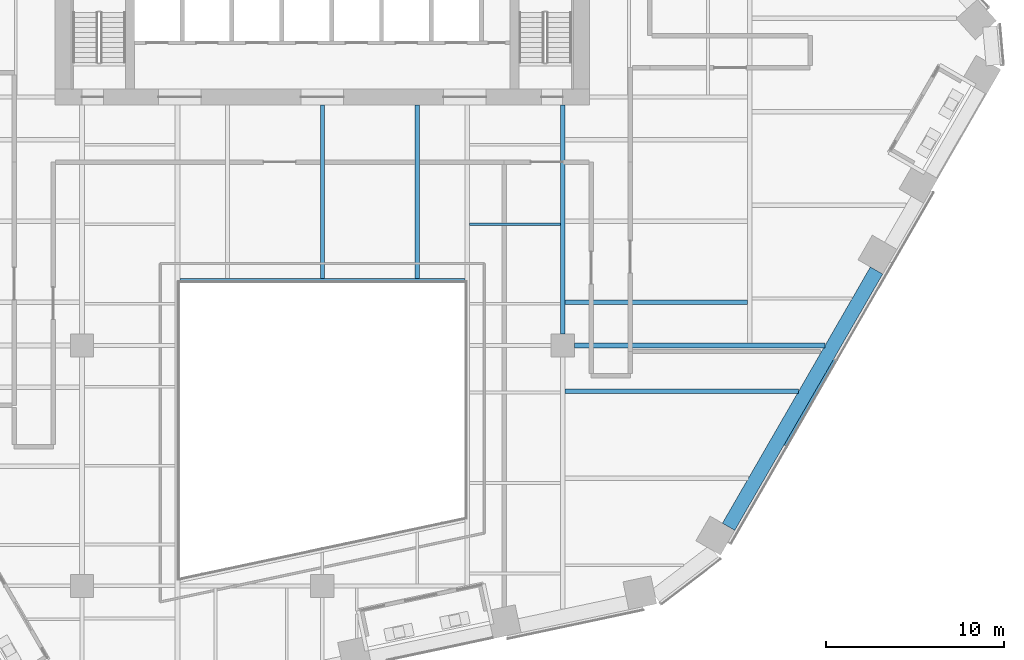
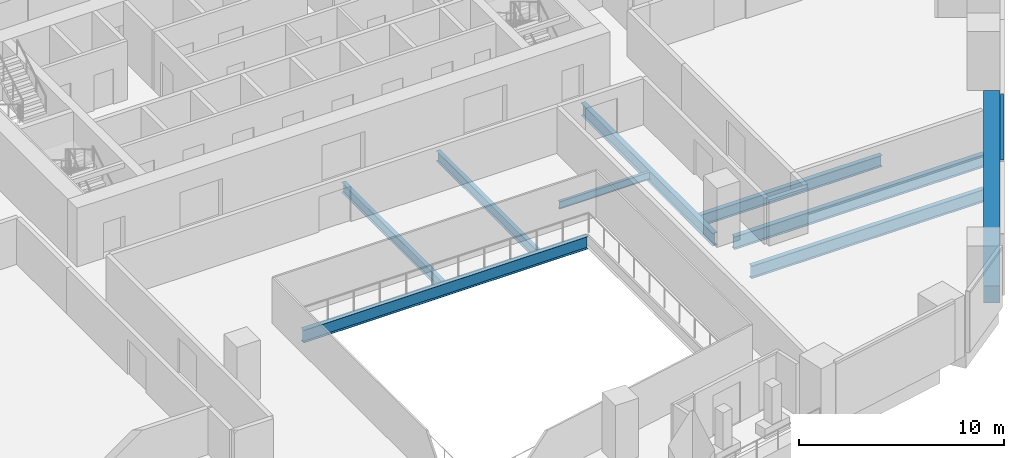
# One storey, part 8 of 28: 9 beams, 1 member, 1 element without a shape of its own.
"""IFC4 building model written with IfcOpenShell, lengths in metres."""

from ifc_helpers import new_model, si_unit, direction, frame, origin, origin_2d, place, context, subcontext, project, spatial, rectangle, i_section, extrude, material, layer, layer_set, material_profile, profile_set, type_object, element, aggregate, save


model = new_model("IFC4")

# Units and contexts
model_context = context("Model", 3, precision=1e-05, world=origin(), true_north=direction((0.0, 1.0)))
body_context = subcontext(model_context, "Body", "Model", "MODEL_VIEW")
ifc_project = project(units=[si_unit("LENGTHUNIT", "METRE"), si_unit("AREAUNIT", "SQUARE_METRE"), si_unit("VOLUMEUNIT", "CUBIC_METRE"), si_unit("PLANEANGLEUNIT", "RADIAN"), si_unit("MASSUNIT", "GRAM", prefix="KILO")], contexts=[model_context])

# Site, building, storey
site_placement = place(None, origin())
site = spatial("IfcSite", under=ifc_project, at=site_placement, CompositionType="ELEMENT")
building_placement = place(site_placement, origin())
building = spatial("IfcBuilding", under=site, at=building_placement, Name="Isthmus Gate Tower", CompositionType="ELEMENT")
storey_placement = place(building_placement, frame((0.0, 0.0, 84.300048828125)))
storey = spatial("IfcBuildingStorey", under=building, at=storey_placement, Name="L19", CompositionType="ELEMENT", Elevation=84.300048828125)

# Curtain wall, member
ifc_material_1 = material(Name="Aluminium, pale champagne anodised", Category="aluminium")
ifc_layer = layer(ifc_material_1, 0.199951171875)
ifc_layer_set = layer_set([ifc_layer], Name="CW-1 UNITISED CURTAIN WALL 200 DEEP")
curtain_wall_type = type_object("IfcCurtainWallType", Name="CW-1 UNITISED CURTAIN WALL 200 DEEP", PredefinedType="NOTDEFINED", material=ifc_layer_set)
curtain_wall_placement = place(storey_placement, origin())
curtain_wall = element("IfcCurtainWall", 1, at=curtain_wall_placement, inside=storey, type_object=curtain_wall_type, Name="CW-1 SE L19", PredefinedType="NOTDEFINED")
ifc_material_2 = material(Name="Aluminium, pale champagne anodised", Category="aluminium")
ifc_material_profile_1 = material_profile(ifc_material_2, rectangle(XDim=0.199951171875, YDim=0.14990234375, at=origin_2d()), Name="200x150")
ifc_profile_set_1 = profile_set([ifc_material_profile_1], Name="Aluminium, pale champagne anodised")
member_type = type_object("IfcMemberType", Name="CW-1 TRANSOM 200 X 150", PredefinedType="USERDEFINED", material=ifc_profile_set_1)
member_placement = place(storey_placement, frame((26.017822265625, -19.135986328125, 3.574951171875), z_axis=(0.499993363642, 0.866029235253, 0.0), x_axis=(-0.866029235253, 0.499993363642, 0.0)))
member = element("IfcMember", 2, at=member_placement, type_object=member_type, Name="CW-1 transom", ObjectType="TRANSOM", PredefinedType="USERDEFINED", context=body_context, shape_type="SweptSolid", body=[
    extrude(rectangle(XDim=0.199951171875, YDim=0.14990234375, at=origin_2d()), origin(), (0.0, 0.0, 1.0), 5.53857421875),
])
aggregate(curtain_wall, [member])

# Beams
ifc_material_3 = material(Name="Concrete f'c 70 MPa", Category="concrete")
ifc_material_profile_2 = material_profile(ifc_material_3, rectangle(XDim=0.800048828125, YDim=1.0, at=origin_2d()), Name="RC 800X1000")
ifc_profile_set_2 = profile_set([ifc_material_profile_2], Name="Concrete f'c 70 MPa")
beam_type_1 = type_object("IfcBeamType", Name="RC SPANDREL 800 X 1000", PredefinedType="SPANDREL", material=ifc_profile_set_2)
beam_1_placement = place(storey_placement, frame((31.123291015625, -9.292724609375, -0.5), z_axis=(-0.499999725976, -0.866025561992, 0.0), x_axis=(0.866025561992, -0.499999725976, 0.0)))
element("IfcBeam", 3, at=beam_1_placement, inside=storey, type_object=beam_type_1, Name="str-spandrel-L19-08", PredefinedType="SPANDREL", context=body_context, shape_type="SweptSolid", body=[
    extrude(rectangle(XDim=0.800048828125, YDim=1.0, at=origin_2d()), origin(), (0.0, 0.0, 1.0), 16.61572265625),
])
ifc_material_4 = material(Name="Structural steel ASTM A992 Gr 50", Category="steel")
ifc_material_profile_3 = material_profile(ifc_material_4, i_section(OverallWidth=0.15234375, OverallDepth=0.45068359375, WebThickness=0.0078125, FlangeThickness=0.010986328125, at=origin_2d()), Name="W18X35")
ifc_profile_set_3 = profile_set([ifc_material_profile_3], Name="Structural steel ASTM A992 Gr 50")
beam_type_2 = type_object("IfcBeamType", Name="STEEL FLOOR BEAM W18X35", PredefinedType="JOIST", material=ifc_profile_set_3)
beam_2_placement = place(storey_placement, frame((8.263427734375, -6.697509765625, -0.37548828125), z_axis=(1.0, 0.0, 0.0), x_axis=(0.0, 1.0, 0.0)))
element("IfcBeam", 4, at=beam_2_placement, inside=storey, type_object=beam_type_2, Name="str-beam-L19-27-01", PredefinedType="JOIST", context=body_context, shape_type="SweptSolid", body=[
    extrude(i_section(OverallWidth=0.15234375, OverallDepth=0.45068359375, WebThickness=0.0078125, FlangeThickness=0.010986328125, at=origin_2d()), origin(), (0.0, 0.0, 1.0), 5.104736328125),
])
ifc_material_5 = material(Name="Structural steel ASTM A992 Gr 50", Category="steel")
ifc_material_profile_4 = material_profile(ifc_material_5, i_section(OverallWidth=0.228515625, OverallDepth=0.603271484375, WebThickness=0.010986328125, FlangeThickness=0.014404296875, at=origin_2d()), Name="W24X68")
ifc_profile_set_4 = profile_set([ifc_material_profile_4], Name="Structural steel ASTM A992 Gr 50")
beam_type_3 = type_object("IfcBeamType", Name="STEEL FLOOR BEAM W24X68", PredefinedType="JOIST", material=ifc_profile_set_4)
for number, where, z_axis, x_axis, name in (
    (5, (0.0, -9.7333984375, -0.45166015625), (0.0, 1.0, 0.0), (-1.0, 0.0, 0.0), "str-beam-L19-19-01"),
    (6, (5.333251953125, -9.7333984375, -0.45166015625), (0.0, 1.0, 0.0), (-1.0, 0.0, 0.0), "str-beam-L19-19-02"),
):
    element("IfcBeam", number, at=place(storey_placement, frame(where, z_axis=z_axis, x_axis=x_axis)), inside=storey, type_object=beam_type_3, Name=name, PredefinedType="JOIST", context=body_context, shape_type="SweptSolid", body=[
        extrude(i_section(OverallWidth=0.228515625, OverallDepth=0.603271484375, WebThickness=0.010986328125, FlangeThickness=0.014404296875, at=origin_2d()), origin(), (0.0, 0.0, 1.0), 9.7333984375),
    ])
ifc_material_6 = material(Name="Structural steel ASTM A992 Gr 50", Category="steel")
ifc_material_profile_5 = material_profile(ifc_material_6, i_section(OverallWidth=0.25390625, OverallDepth=0.679443359375, WebThickness=0.010986328125, FlangeThickness=0.015869140625, at=origin_2d()), Name="W27X84")
ifc_profile_set_5 = profile_set([ifc_material_profile_5], Name="Structural steel ASTM A992 Gr 50")
beam_type_4 = type_object("IfcBeamType", Name="STEEL FLOOR BEAM W27X84", PredefinedType="JOIST", material=ifc_profile_set_5)
beam_3_placement = place(storey_placement, frame((13.6318359375, -11.0830078125, -0.48974609375), z_axis=(1.0, 0.0, 0.0), x_axis=(0.0, 1.0, 0.0)))
element("IfcBeam", 7, at=beam_3_placement, inside=storey, type_object=beam_type_4, Name="str-beam-L19-31-00", PredefinedType="JOIST", context=body_context, shape_type="SweptSolid", body=[
    extrude(i_section(OverallWidth=0.25390625, OverallDepth=0.679443359375, WebThickness=0.010986328125, FlangeThickness=0.015869140625, at=origin_2d()), origin(), (0.0, 0.0, 1.0), 10.23486328125),
])
ifc_material_7 = material(Name="Structural steel ASTM A992 Gr 50", Category="steel")
ifc_material_profile_6 = material_profile(ifc_material_7, i_section(OverallWidth=0.263427734375, OverallDepth=0.749267578125, WebThickness=0.0126953125, FlangeThickness=0.015869140625, at=origin_2d()), Name="W30X90")
ifc_profile_set_6 = profile_set([ifc_material_profile_6], Name="Structural steel ASTM A992 Gr 50")
beam_type_5 = type_object("IfcBeamType", Name="STEEL FLOOR BEAM W30X90", PredefinedType="JOIST", material=ifc_profile_set_6)
beam_4_placement = place(storey_placement, frame((13.63330078125, -16.0751953125, -0.524658203125), z_axis=(1.0, 0.0, 0.0), x_axis=(0.0, 1.0, 0.0)))
element("IfcBeam", 8, at=beam_4_placement, inside=storey, type_object=beam_type_5, Name="str-beam-L19-32-02", PredefinedType="JOIST", context=body_context, shape_type="SweptSolid", body=[
    extrude(i_section(OverallWidth=0.263427734375, OverallDepth=0.749267578125, WebThickness=0.0126953125, FlangeThickness=0.015869140625, at=origin_2d()), origin(), (0.0, 0.0, 1.0), 13.1123046875),
])
ifc_material_8 = material(Name="Structural steel ASTM A992 Gr 50", Category="steel")
ifc_material_profile_7 = material_profile(ifc_material_8, i_section(OverallWidth=0.2666015625, OverallDepth=0.7587890625, WebThickness=0.014404296875, FlangeThickness=0.01904296875, at=origin_2d()), Name="W30X108")
ifc_profile_set_7 = profile_set([ifc_material_profile_7], Name="Structural steel ASTM A992 Gr 50")
beam_type_6 = type_object("IfcBeamType", Name="STEEL GIRDER W30X108", PredefinedType="BEAM", material=ifc_profile_set_7)
beam_5_placement = place(storey_placement, frame((14.14990234375, -13.5, -0.529541015625), z_axis=(1.0, 0.0, 0.0), x_axis=(0.0, 1.0, 0.0)))
element("IfcBeam", 9, at=beam_5_placement, inside=storey, type_object=beam_type_6, Name="str-girder-L19-08", PredefinedType="BEAM", context=body_context, shape_type="SweptSolid", body=[
    extrude(i_section(OverallWidth=0.2666015625, OverallDepth=0.7587890625, WebThickness=0.014404296875, FlangeThickness=0.01904296875, at=origin_2d()), origin(), (0.0, 0.0, 1.0), 14.08251953125),
])
ifc_material_9 = material(Name="Structural steel ASTM A992 Gr 50", Category="steel")
ifc_material_profile_8 = material_profile(ifc_material_9, i_section(OverallWidth=0.263427734375, OverallDepth=0.749267578125, WebThickness=0.0126953125, FlangeThickness=0.015869140625, at=origin_2d()), Name="W30X90")
ifc_profile_set_8 = profile_set([ifc_material_profile_8], Name="Structural steel ASTM A992 Gr 50")
beam_type_7 = type_object("IfcBeamType", Name="STEEL GIRDER W30X90", PredefinedType="BEAM", material=ifc_profile_set_8)
beam_6_placement = place(storey_placement, frame((13.5, -12.85009765625, -0.524658203125), z_axis=(0.0, 1.0, 0.0), x_axis=(-1.0, 0.0, 0.0)))
element("IfcBeam", 10, at=beam_6_placement, inside=storey, type_object=beam_type_7, Name="str-girder-L19-33", PredefinedType="BEAM", context=body_context, shape_type="SweptSolid", body=[
    extrude(i_section(OverallWidth=0.263427734375, OverallDepth=0.749267578125, WebThickness=0.0126953125, FlangeThickness=0.015869140625, at=origin_2d()), origin(), (0.0, 0.0, 1.0), 12.85009765625),
])
ifc_material_10 = material(Name="Structural steel ASTM A992 Gr 50", Category="steel")
ifc_material_profile_9 = material_profile(ifc_material_10, i_section(OverallWidth=0.2666015625, OverallDepth=0.7587890625, WebThickness=0.014404296875, FlangeThickness=0.01904296875, at=origin_2d()), Name="W30X108")
ifc_profile_set_9 = profile_set([ifc_material_profile_9], Name="Structural steel ASTM A992 Gr 50")
beam_type_8 = type_object("IfcBeamType", Name="STEEL TRIMMER W30X108", PredefinedType="BEAM", material=ifc_profile_set_9)
beam_7_placement = place(storey_placement, frame((8.0, -9.86669921875, -0.529541015625), z_axis=(-1.0, 0.0, 0.0), x_axis=(0.0, -1.0, 0.0)))
element("IfcBeam", 11, at=beam_7_placement, inside=storey, type_object=beam_type_8, Name="str-trimmer-L19-04", PredefinedType="BEAM", context=body_context, shape_type="SweptSolid", body=[
    extrude(i_section(OverallWidth=0.2666015625, OverallDepth=0.7587890625, WebThickness=0.014404296875, FlangeThickness=0.01904296875, at=origin_2d()), origin(), (0.0, 0.0, 1.0), 16.0),
])

save(model, "model.ifc")
